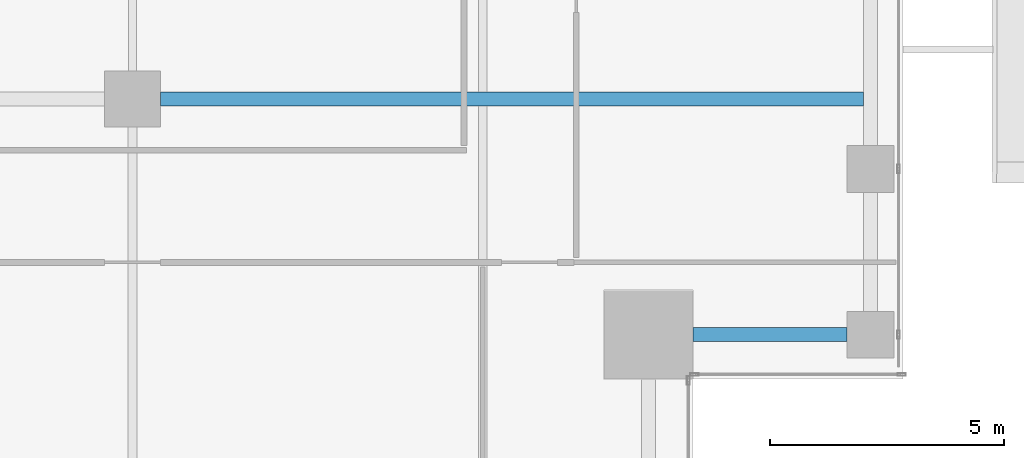
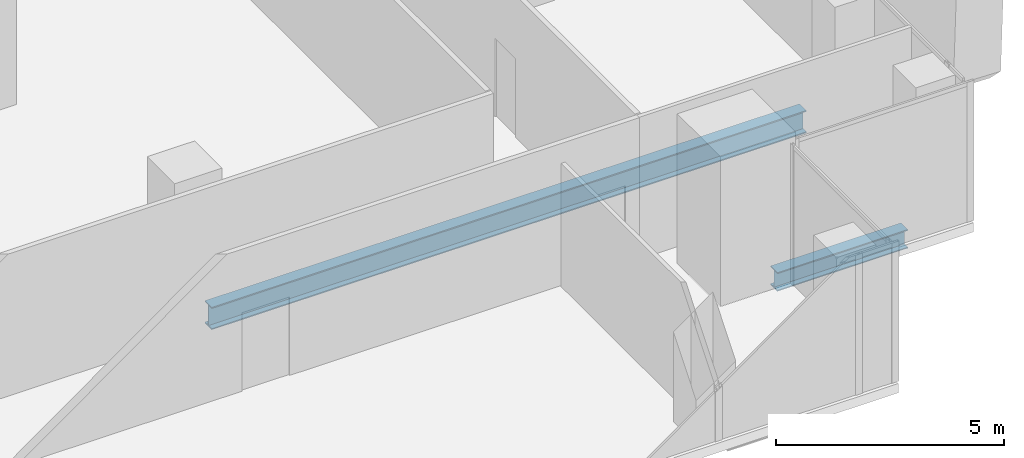
# One storey, part 11 of 38: 2 beams.
"""IFC4 building model written with IfcOpenShell, lengths in metres."""

import ifcopenshell
import ifcopenshell.guid

model = None  # the IFC model being written
_history = None  # IfcOwnerHistory: only IFC2X3 demands one
_inside = {}  # id of a spatial element -> (the spatial element, [elements in it])
_under = {}  # id of a project, library or spatial element -> (it, [spatial elements below it])
_declared = {}  # id of a project -> (the project, [libraries it declares])
_typed = {}  # id of a type object -> (the type object, [elements of that type])
_made_of = {}  # id of a material, layer set ... -> (it, [elements and type objects made of it])


def new_model(schema):
    """Start an empty IFC model of exactly this schema.

    Asked for "IFC4X3", IfcOpenShell would pick the latest addendum, in which some entities
    have other attributes; the version numbers below select the first issue.
    IFC2X3 requires an IfcOwnerHistory on every rooted entity: one is made here for all.
    """
    global model, _history
    if schema == "IFC4X3":
        model = ifcopenshell.file(schema_version=(4, 3, 0, 0))
    else:
        model = ifcopenshell.file(schema=schema)
    _inside.clear()
    _under.clear()
    _declared.clear()
    _typed.clear()
    _made_of.clear()
    _history = None
    if model.schema == "IFC2X3":
        org = make("IfcOrganization", Name="unknown")
        user = make(
            "IfcPersonAndOrganization",
            ThePerson=make("IfcPerson", FamilyName="unknown"),
            TheOrganization=org,
        )
        app = make(
            "IfcApplication",
            ApplicationDeveloper=org,
            Version="unknown",
            ApplicationFullName="unknown",
            ApplicationIdentifier="unknown",
        )
        _history = make(
            "IfcOwnerHistory",
            OwningUser=user,
            OwningApplication=app,
            ChangeAction="ADDED",
            CreationDate=0,
        )
    return model


def make(cls, **values):
    """One entity of the class cls with the attributes given. An attribute that is None is left unset."""
    return model.create_entity(
        cls, **{name: value for name, value in values.items() if value is not None}
    )


def rooted(cls, **values):
    """An entity with a GlobalId (a new one), such as an element, a storey or a relation."""
    return make(cls, GlobalId=ifcopenshell.guid.new(), OwnerHistory=_history, **values)


def si_unit(unit_type, name, prefix=None):
    """IfcSIUnit, for example si_unit("LENGTHUNIT", "METRE", prefix="MILLI")."""
    return make("IfcSIUnit", UnitType=unit_type, Prefix=prefix, Name=name)


def assignment(units):
    """IfcUnitAssignment: the units of a project."""
    return None if units is None else make("IfcUnitAssignment", Units=units)


def point(xyz):
    """IfcCartesianPoint."""
    return None if xyz is None else make("IfcCartesianPoint", Coordinates=xyz)


def direction(xyz):
    """IfcDirection."""
    return None if xyz is None else make("IfcDirection", DirectionRatios=xyz)


def frame(location, z_axis=None, x_axis=None):
    """IfcAxis2Placement3D, a coordinate frame: its origin and axes. An axis left out is left unset."""
    return make(
        "IfcAxis2Placement3D",
        Location=point(location),
        Axis=direction(z_axis),
        RefDirection=direction(x_axis),
    )


def frame_2d(location, x_axis=None):
    """IfcAxis2Placement2D, a coordinate frame in the plane: its origin and x axis."""
    return make(
        "IfcAxis2Placement2D", Location=point(location), RefDirection=direction(x_axis)
    )


def origin():
    """The frame at (0, 0, 0) with its axes left unset."""
    return frame((0.0, 0.0, 0.0))


def origin_2d():
    """The frame at (0, 0) in the plane with its x axis left unset."""
    return frame_2d((0.0, 0.0))


def place(relative_to, where):
    """IfcLocalPlacement: puts the frame where relative to a parent placement (None: the world)."""
    return make(
        "IfcLocalPlacement", PlacementRelTo=relative_to, RelativePlacement=where
    )


def context(
    kind, dimensions, precision=None, world=None, true_north=None, identifier=None
):
    """IfcGeometricRepresentationContext, for example the 3D "Model" context."""
    return make(
        "IfcGeometricRepresentationContext",
        ContextIdentifier=identifier,
        ContextType=kind,
        CoordinateSpaceDimension=dimensions,
        Precision=precision,
        WorldCoordinateSystem=world,
        TrueNorth=true_north,
    )


def subcontext(parent, identifier, kind, view, scale=None):
    """IfcGeometricRepresentationSubContext, for example "Body" below "Model"."""
    return make(
        "IfcGeometricRepresentationSubContext",
        ContextIdentifier=identifier,
        ContextType=kind,
        ParentContext=parent,
        TargetScale=scale,
        TargetView=view,
    )


def project(units=None, contexts=None):
    """IfcProject with its units and contexts."""
    return rooted(
        "IfcProject",
        Name="project",
        RepresentationContexts=contexts,
        UnitsInContext=assignment(units),
    )


def spatial(cls, under=None, at=None, **own):
    """A site, building, storey or space (cls), placed at a placement, below another one or the project."""
    s = rooted(cls, ObjectPlacement=at, **own)
    if under is not None:
        _under.setdefault(under.id(), (under, []))[1].append(s)
    return s


def profile(cls, at=None, kind="AREA", **sizes):
    """A parametric profile (cls). Its sizes go by their IFC names, for example OverallWidth=200.0."""
    return make(cls, ProfileType=kind, Position=at, **sizes)


def i_section(**sizes):
    """IfcIShapeProfileDef."""
    return profile("IfcIShapeProfileDef", **sizes)


def extrude(swept, where, along, depth):
    """IfcExtrudedAreaSolid: the profile swept, set in the frame where, extruded along a direction by depth."""
    return make(
        "IfcExtrudedAreaSolid",
        SweptArea=swept,
        Position=where,
        ExtrudedDirection=direction(along),
        Depth=depth,
    )


def shape(context_of_items, identifier, shape_type, items):
    """IfcShapeRepresentation: the items that make up one representation, for example the "Body"."""
    return make(
        "IfcShapeRepresentation",
        ContextOfItems=context_of_items,
        RepresentationIdentifier=identifier,
        RepresentationType=shape_type,
        Items=items,
    )


def source(mapping_origin, context_of_items, identifier, shape_type, items):
    """IfcRepresentationMap: a shape defined once, which mapped items show again and again."""
    return make(
        "IfcRepresentationMap",
        MappingOrigin=mapping_origin,
        MappedRepresentation=shape(context_of_items, identifier, shape_type, items),
    )


def transform(
    local_origin,
    x_axis=None,
    y_axis=None,
    z_axis=None,
    scale=None,
    scale2=None,
    scale3=None,
    uniform=True,
):
    """IfcCartesianTransformationOperator3D, or its non-uniform kind. x_axis, y_axis, z_axis: its Axis1, 2, 3."""
    if uniform:
        return make(
            "IfcCartesianTransformationOperator3D",
            Axis1=direction(x_axis),
            Axis2=direction(y_axis),
            LocalOrigin=point(local_origin),
            Scale=scale,
            Axis3=direction(z_axis),
        )
    return make(
        "IfcCartesianTransformationOperator3DnonUniform",
        Axis1=direction(x_axis),
        Axis2=direction(y_axis),
        LocalOrigin=point(local_origin),
        Scale=scale,
        Axis3=direction(z_axis),
        Scale2=scale2,
        Scale3=scale3,
    )


def mapped(mapping_source, mapping_target):
    """IfcMappedItem: shows the shape of a source again, moved by a transform."""
    return make(
        "IfcMappedItem", MappingSource=mapping_source, MappingTarget=mapping_target
    )


def material(Name=None, Category=None):
    """IfcMaterial."""
    return make("IfcMaterial", Name=Name, Category=Category)


def material_profile(
    of_material, cross_section, Name=None, Category=None, Priority=None
):
    """IfcMaterialProfile: a cross section and its material."""
    return make(
        "IfcMaterialProfile",
        Name=Name,
        Material=of_material,
        Profile=cross_section,
        Priority=Priority,
        Category=Category,
    )


def profile_set(profiles, Name=None, composite=None):
    """IfcMaterialProfileSet."""
    return make(
        "IfcMaterialProfileSet",
        Name=Name,
        MaterialProfiles=profiles,
        CompositeProfile=composite,
    )


def made_of(thing, what):
    """Note that an element or type object is made of a material, layer set ...; save() writes the relation."""
    if what is not None:
        _made_of.setdefault(what.id(), (what, []))[1].append(thing)
    return thing


def type_object(cls, material=None, **own):
    """A type object (cls), such as IfcWallType, which elements share."""
    return made_of(rooted(cls, **own), material)


def element(
    cls,
    number,
    at=None,
    inside=None,
    cuts=None,
    type_object=None,
    material=None,
    context=None,
    identifier="Body",
    shape_type=None,
    held_by="IfcProductDefinitionShape",
    body=None,
    shapes=None,
    **own,
):
    """One element of the class cls, such as IfcWall. Its Tag is "e" and its number.

    at: its placement. inside: the storey or other place that contains it. cuts: it is an
    opening in that element (IfcRelVoidsElement). A single representation is given by context,
    identifier, shape_type and body (its items); several are given by shapes. held_by: the class
    of the entity that holds the representations. save() writes the other relations.
    """
    e = rooted(cls, Tag="e%d" % number, ObjectPlacement=at, **own)
    if body is not None:
        shapes = [shape(context, identifier, shape_type, body)]
    if shapes is not None:
        e.Representation = make(held_by, Representations=shapes)
    if inside is not None:
        _inside.setdefault(inside.id(), (inside, []))[1].append(e)
    if cuts is not None:
        rooted(
            "IfcRelVoidsElement", RelatingBuildingElement=cuts, RelatedOpeningElement=e
        )
    if type_object is not None:
        _typed.setdefault(type_object.id(), (type_object, []))[1].append(e)
    return made_of(e, material)


def aggregate(whole, parts):
    """IfcRelAggregates: a whole, such as a stair, and the parts it consists of."""
    return rooted("IfcRelAggregates", RelatingObject=whole, RelatedObjects=parts)


def save(model, path):
    """Write the relations noted so far, then the file.

    IfcRelAggregates (storeys below a building ...), IfcRelContainedInSpatialStructure (elements
    in a storey), IfcRelDefinesByType, IfcRelAssociatesMaterial and IfcRelDeclares: one each for
    every whole, place, type object, material and project.
    """
    for whole, parts in _under.values():
        aggregate(whole, parts)
    for where, things in _inside.values():
        rooted(
            "IfcRelContainedInSpatialStructure",
            RelatedElements=things,
            RelatingStructure=where,
        )
    for kind, things in _typed.values():
        rooted("IfcRelDefinesByType", RelatedObjects=things, RelatingType=kind)
    for what, things in _made_of.values():
        rooted("IfcRelAssociatesMaterial", RelatedObjects=things, RelatingMaterial=what)
    for by, libraries in _declared.values():
        rooted("IfcRelDeclares", RelatingContext=by, RelatedDefinitions=libraries)
    model.write(path)


model = new_model("IFC4")

# Units and contexts
model_context = context("Model", 3, precision=1e-05, world=origin(), true_north=direction((0.0, 1.0)))
body_context = subcontext(model_context, "Body", "Model", "MODEL_VIEW")
ifc_project = project(units=[si_unit("LENGTHUNIT", "METRE"), si_unit("AREAUNIT", "SQUARE_METRE"), si_unit("VOLUMEUNIT", "CUBIC_METRE"), si_unit("PLANEANGLEUNIT", "RADIAN"), si_unit("MASSUNIT", "GRAM", prefix="KILO")], contexts=[model_context])

# Site, building, storey
site_placement = place(None, origin())
site = spatial("IfcSite", under=ifc_project, at=site_placement, CompositionType="ELEMENT")
building_placement = place(site_placement, origin())
building = spatial("IfcBuilding", under=site, at=building_placement, Name="Khomas Fold Tower", CompositionType="ELEMENT")
storey_placement = place(building_placement, frame((0.0, 0.0, 196.699951171875)))
storey = spatial("IfcBuildingStorey", under=building, at=storey_placement, Name="L43", CompositionType="ELEMENT", Elevation=196.699951171875)

# Beams
ifc_material_1 = material(Name="Steel S355", Category="steel")
ifc_material_profile_1 = material_profile(ifc_material_1, i_section(OverallWidth=0.300048828125, OverallDepth=0.5, WebThickness=0.014404296875, FlangeThickness=0.028076171875, at=origin_2d()), Name="HE 500 B")
ifc_profile_set_1 = profile_set([ifc_material_profile_1], Name="Steel S355")
beam_type_1 = type_object("IfcBeamType", Name="HE 500 B spandrel SB3", PredefinedType="SPANDREL", material=ifc_profile_set_1)
shared_shape_1 = source(origin(), body_context, "Body", "SweptSolid", [
    extrude(i_section(OverallWidth=0.300048828125, OverallDepth=0.5, WebThickness=0.014404296875, FlangeThickness=0.028076171875, at=origin_2d()), origin(), (0.0, 0.0, 1.0), 3.300048828125),
])
beam_1_placement = place(storey_placement, frame((46.5, 8.449951171875, -0.5), z_axis=(1.0, 0.0, 0.0), x_axis=(0.0, 1.0, 0.0)))
element("IfcBeam", 1, at=beam_1_placement, inside=storey, type_object=beam_type_1, Name="SB3", PredefinedType="SPANDREL", context=body_context, shape_type="MappedRepresentation", body=[
    mapped(shared_shape_1, transform((0.0, 0.0, 0.0))),
])
ifc_material_2 = material(Name="Steel S355", Category="steel")
ifc_material_profile_2 = material_profile(ifc_material_2, i_section(OverallWidth=0.300048828125, OverallDepth=0.60009765625, WebThickness=0.015380859375, FlangeThickness=0.030029296875, at=origin_2d()), Name="HE 600 B")
ifc_profile_set_2 = profile_set([ifc_material_profile_2], Name="Steel S355")
beam_type_2 = type_object("IfcBeamType", Name="HE 600 B beam GB5", PredefinedType="BEAM", material=ifc_profile_set_2)
shared_shape_2 = source(origin(), body_context, "Body", "SweptSolid", [
    extrude(i_section(OverallWidth=0.300048828125, OverallDepth=0.60009765625, WebThickness=0.015380859375, FlangeThickness=0.030029296875, at=origin_2d()), origin(), (0.0, 0.0, 1.0), 15.0498046875),
])
beam_2_placement = place(storey_placement, frame((35.10009765625, 13.5, -0.550048828125), z_axis=(1.0, 0.0, 0.0), x_axis=(0.0, 1.0, 0.0)))
element("IfcBeam", 2, at=beam_2_placement, inside=storey, type_object=beam_type_2, Name="GB5", PredefinedType="BEAM", context=body_context, shape_type="MappedRepresentation", body=[
    mapped(shared_shape_2, transform((0.0, 0.0, 0.0))),
])

save(model, "model.ifc")
